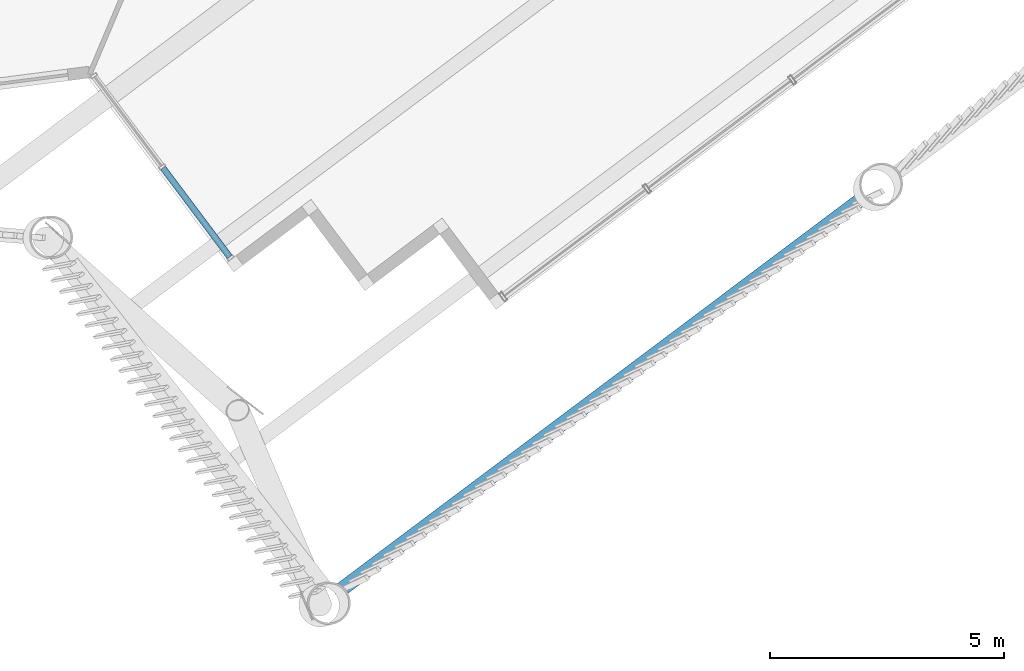
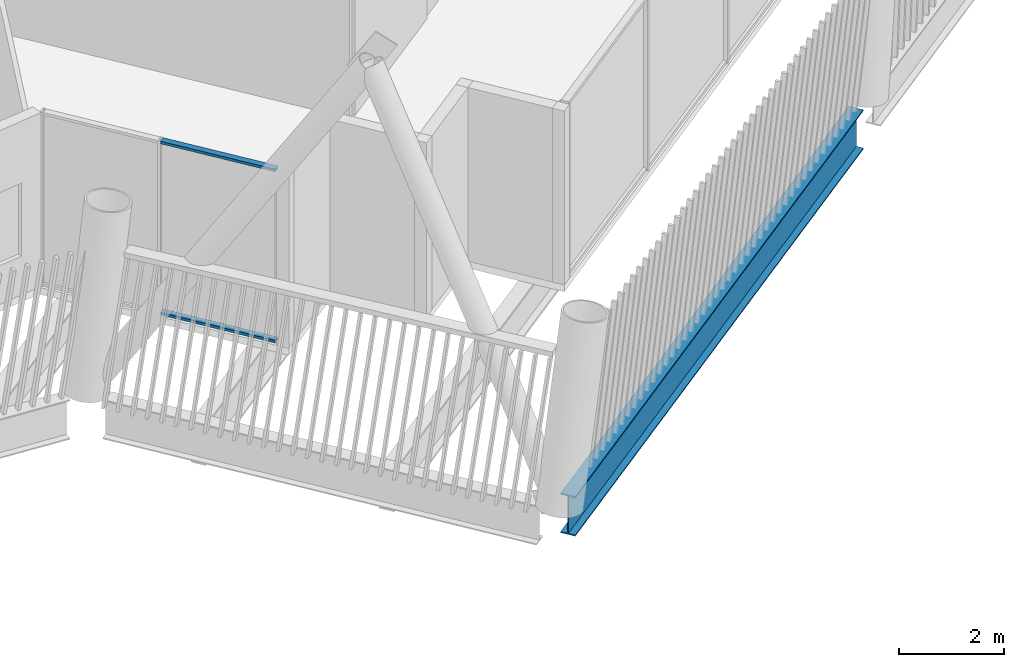
# One storey, part 9 of 35: 2 members, 1 beam, 1 element without a shape of its own.
"""IFC4 building model written with IfcOpenShell, lengths in metres."""

import ifcopenshell
import ifcopenshell.guid

model = None  # the IFC model being written
_history = None  # IfcOwnerHistory: only IFC2X3 demands one
_inside = {}  # id of a spatial element -> (the spatial element, [elements in it])
_under = {}  # id of a project, library or spatial element -> (it, [spatial elements below it])
_declared = {}  # id of a project -> (the project, [libraries it declares])
_typed = {}  # id of a type object -> (the type object, [elements of that type])
_made_of = {}  # id of a material, layer set ... -> (it, [elements and type objects made of it])


def new_model(schema):
    """Start an empty IFC model of exactly this schema.

    Asked for "IFC4X3", IfcOpenShell would pick the latest addendum, in which some entities
    have other attributes; the version numbers below select the first issue.
    IFC2X3 requires an IfcOwnerHistory on every rooted entity: one is made here for all.
    """
    global model, _history
    if schema == "IFC4X3":
        model = ifcopenshell.file(schema_version=(4, 3, 0, 0))
    else:
        model = ifcopenshell.file(schema=schema)
    _inside.clear()
    _under.clear()
    _declared.clear()
    _typed.clear()
    _made_of.clear()
    _history = None
    if model.schema == "IFC2X3":
        org = make("IfcOrganization", Name="unknown")
        user = make(
            "IfcPersonAndOrganization",
            ThePerson=make("IfcPerson", FamilyName="unknown"),
            TheOrganization=org,
        )
        app = make(
            "IfcApplication",
            ApplicationDeveloper=org,
            Version="unknown",
            ApplicationFullName="unknown",
            ApplicationIdentifier="unknown",
        )
        _history = make(
            "IfcOwnerHistory",
            OwningUser=user,
            OwningApplication=app,
            ChangeAction="ADDED",
            CreationDate=0,
        )
    return model


def make(cls, **values):
    """One entity of the class cls with the attributes given. An attribute that is None is left unset."""
    return model.create_entity(
        cls, **{name: value for name, value in values.items() if value is not None}
    )


def rooted(cls, **values):
    """An entity with a GlobalId (a new one), such as an element, a storey or a relation."""
    return make(cls, GlobalId=ifcopenshell.guid.new(), OwnerHistory=_history, **values)


def si_unit(unit_type, name, prefix=None):
    """IfcSIUnit, for example si_unit("LENGTHUNIT", "METRE", prefix="MILLI")."""
    return make("IfcSIUnit", UnitType=unit_type, Prefix=prefix, Name=name)


def assignment(units):
    """IfcUnitAssignment: the units of a project."""
    return None if units is None else make("IfcUnitAssignment", Units=units)


def point(xyz):
    """IfcCartesianPoint."""
    return None if xyz is None else make("IfcCartesianPoint", Coordinates=xyz)


def direction(xyz):
    """IfcDirection."""
    return None if xyz is None else make("IfcDirection", DirectionRatios=xyz)


def frame(location, z_axis=None, x_axis=None):
    """IfcAxis2Placement3D, a coordinate frame: its origin and axes. An axis left out is left unset."""
    return make(
        "IfcAxis2Placement3D",
        Location=point(location),
        Axis=direction(z_axis),
        RefDirection=direction(x_axis),
    )


def frame_2d(location, x_axis=None):
    """IfcAxis2Placement2D, a coordinate frame in the plane: its origin and x axis."""
    return make(
        "IfcAxis2Placement2D", Location=point(location), RefDirection=direction(x_axis)
    )


def origin():
    """The frame at (0, 0, 0) with its axes left unset."""
    return frame((0.0, 0.0, 0.0))


def origin_2d():
    """The frame at (0, 0) in the plane with its x axis left unset."""
    return frame_2d((0.0, 0.0))


def place(relative_to, where):
    """IfcLocalPlacement: puts the frame where relative to a parent placement (None: the world)."""
    return make(
        "IfcLocalPlacement", PlacementRelTo=relative_to, RelativePlacement=where
    )


def context(
    kind, dimensions, precision=None, world=None, true_north=None, identifier=None
):
    """IfcGeometricRepresentationContext, for example the 3D "Model" context."""
    return make(
        "IfcGeometricRepresentationContext",
        ContextIdentifier=identifier,
        ContextType=kind,
        CoordinateSpaceDimension=dimensions,
        Precision=precision,
        WorldCoordinateSystem=world,
        TrueNorth=true_north,
    )


def subcontext(parent, identifier, kind, view, scale=None):
    """IfcGeometricRepresentationSubContext, for example "Body" below "Model"."""
    return make(
        "IfcGeometricRepresentationSubContext",
        ContextIdentifier=identifier,
        ContextType=kind,
        ParentContext=parent,
        TargetScale=scale,
        TargetView=view,
    )


def project(units=None, contexts=None):
    """IfcProject with its units and contexts."""
    return rooted(
        "IfcProject",
        Name="project",
        RepresentationContexts=contexts,
        UnitsInContext=assignment(units),
    )


def spatial(cls, under=None, at=None, **own):
    """A site, building, storey or space (cls), placed at a placement, below another one or the project."""
    s = rooted(cls, ObjectPlacement=at, **own)
    if under is not None:
        _under.setdefault(under.id(), (under, []))[1].append(s)
    return s


def profile(cls, at=None, kind="AREA", **sizes):
    """A parametric profile (cls). Its sizes go by their IFC names, for example OverallWidth=200.0."""
    return make(cls, ProfileType=kind, Position=at, **sizes)


def hollow_rectangle(**sizes):
    """IfcRectangleHollowProfileDef."""
    return profile("IfcRectangleHollowProfileDef", **sizes)


def i_section(**sizes):
    """IfcIShapeProfileDef."""
    return profile("IfcIShapeProfileDef", **sizes)


def extrude(swept, where, along, depth):
    """IfcExtrudedAreaSolid: the profile swept, set in the frame where, extruded along a direction by depth."""
    return make(
        "IfcExtrudedAreaSolid",
        SweptArea=swept,
        Position=where,
        ExtrudedDirection=direction(along),
        Depth=depth,
    )


def shape(context_of_items, identifier, shape_type, items):
    """IfcShapeRepresentation: the items that make up one representation, for example the "Body"."""
    return make(
        "IfcShapeRepresentation",
        ContextOfItems=context_of_items,
        RepresentationIdentifier=identifier,
        RepresentationType=shape_type,
        Items=items,
    )


def material(Name=None, Category=None):
    """IfcMaterial."""
    return make("IfcMaterial", Name=Name, Category=Category)


def layer(
    of_material, thickness, ventilated=None, Name=None, Category=None, Priority=None
):
    """IfcMaterialLayer: one layer of a wall or slab, of a material (None: an air gap)."""
    return make(
        "IfcMaterialLayer",
        Material=of_material,
        LayerThickness=thickness,
        IsVentilated=ventilated,
        Name=Name,
        Category=Category,
        Priority=Priority,
    )


def layer_set(layers, Name=None):
    """IfcMaterialLayerSet."""
    return make("IfcMaterialLayerSet", MaterialLayers=layers, LayerSetName=Name)


def material_profile(
    of_material, cross_section, Name=None, Category=None, Priority=None
):
    """IfcMaterialProfile: a cross section and its material."""
    return make(
        "IfcMaterialProfile",
        Name=Name,
        Material=of_material,
        Profile=cross_section,
        Priority=Priority,
        Category=Category,
    )


def profile_set(profiles, Name=None, composite=None):
    """IfcMaterialProfileSet."""
    return make(
        "IfcMaterialProfileSet",
        Name=Name,
        MaterialProfiles=profiles,
        CompositeProfile=composite,
    )


def made_of(thing, what):
    """Note that an element or type object is made of a material, layer set ...; save() writes the relation."""
    if what is not None:
        _made_of.setdefault(what.id(), (what, []))[1].append(thing)
    return thing


def type_object(cls, material=None, **own):
    """A type object (cls), such as IfcWallType, which elements share."""
    return made_of(rooted(cls, **own), material)


def element(
    cls,
    number,
    at=None,
    inside=None,
    cuts=None,
    type_object=None,
    material=None,
    context=None,
    identifier="Body",
    shape_type=None,
    held_by="IfcProductDefinitionShape",
    body=None,
    shapes=None,
    **own,
):
    """One element of the class cls, such as IfcWall. Its Tag is "e" and its number.

    at: its placement. inside: the storey or other place that contains it. cuts: it is an
    opening in that element (IfcRelVoidsElement). A single representation is given by context,
    identifier, shape_type and body (its items); several are given by shapes. held_by: the class
    of the entity that holds the representations. save() writes the other relations.
    """
    e = rooted(cls, Tag="e%d" % number, ObjectPlacement=at, **own)
    if body is not None:
        shapes = [shape(context, identifier, shape_type, body)]
    if shapes is not None:
        e.Representation = make(held_by, Representations=shapes)
    if inside is not None:
        _inside.setdefault(inside.id(), (inside, []))[1].append(e)
    if cuts is not None:
        rooted(
            "IfcRelVoidsElement", RelatingBuildingElement=cuts, RelatedOpeningElement=e
        )
    if type_object is not None:
        _typed.setdefault(type_object.id(), (type_object, []))[1].append(e)
    return made_of(e, material)


def aggregate(whole, parts):
    """IfcRelAggregates: a whole, such as a stair, and the parts it consists of."""
    return rooted("IfcRelAggregates", RelatingObject=whole, RelatedObjects=parts)


def save(model, path):
    """Write the relations noted so far, then the file.

    IfcRelAggregates (storeys below a building ...), IfcRelContainedInSpatialStructure (elements
    in a storey), IfcRelDefinesByType, IfcRelAssociatesMaterial and IfcRelDeclares: one each for
    every whole, place, type object, material and project.
    """
    for whole, parts in _under.values():
        aggregate(whole, parts)
    for where, things in _inside.values():
        rooted(
            "IfcRelContainedInSpatialStructure",
            RelatedElements=things,
            RelatingStructure=where,
        )
    for kind, things in _typed.values():
        rooted("IfcRelDefinesByType", RelatedObjects=things, RelatingType=kind)
    for what, things in _made_of.values():
        rooted("IfcRelAssociatesMaterial", RelatedObjects=things, RelatingMaterial=what)
    for by, libraries in _declared.values():
        rooted("IfcRelDeclares", RelatingContext=by, RelatedDefinitions=libraries)
    model.write(path)


model = new_model("IFC4")

# Units and contexts
model_context = context("Model", 3, precision=1e-05, world=origin(), true_north=direction((0.0, 1.0)))
body_context = subcontext(model_context, "Body", "Model", "MODEL_VIEW")
ifc_project = project(units=[si_unit("LENGTHUNIT", "METRE"), si_unit("AREAUNIT", "SQUARE_METRE"), si_unit("VOLUMEUNIT", "CUBIC_METRE"), si_unit("PLANEANGLEUNIT", "RADIAN"), si_unit("MASSUNIT", "GRAM", prefix="KILO")], contexts=[model_context])

# Site, building, storey
site_placement = place(None, origin())
site = spatial("IfcSite", under=ifc_project, at=site_placement, CompositionType="ELEMENT")
building_placement = place(site_placement, origin())
building = spatial("IfcBuilding", under=site, at=building_placement, Name="Tarsis Ring Headquarters", CompositionType="ELEMENT")
storey_placement = place(building_placement, frame((0.0, 0.0, 377.60009765625)))
storey = spatial("IfcBuildingStorey", under=building, at=storey_placement, Name="L89", CompositionType="ELEMENT", Elevation=377.60009765625)

# Curtain wall, members
ifc_material_1 = material(Name="Aluminium curtain wall", Category="aluminium")
ifc_layer = layer(ifc_material_1, 0.14990234375)
ifc_layer_set = layer_set([ifc_layer], Name="Curtain wall tower unit")
curtain_wall_type = type_object("IfcCurtainWallType", Name="Curtain wall tower unit", PredefinedType="NOTDEFINED", material=ifc_layer_set)
curtain_wall_placement = place(storey_placement, origin())
curtain_wall = element("IfcCurtainWall", 1, at=curtain_wall_placement, inside=storey, type_object=curtain_wall_type, Name="Curtain wall L89-06", PredefinedType="NOTDEFINED")
ifc_material_2 = material(Name="Aluminium transom", Category="aluminium")
ifc_material_profile_1 = material_profile(ifc_material_2, hollow_rectangle(XDim=0.1298828125, YDim=0.06005859375, WallThickness=0.0048828125, at=origin_2d()), Name="RHS 130x60x5")
ifc_profile_set_1 = profile_set([ifc_material_profile_1], Name="Aluminium transom")
member_type = type_object("IfcMemberType", Name="Curtain wall transom tower unit RHS 130x60x5", PredefinedType="USERDEFINED", material=ifc_profile_set_1)
member_1_placement = place(storey_placement, frame((5.6962890625, -27.379150390625, 0.02978515625), z_axis=(0.600131798428, -0.799901134213, 0.0), x_axis=(0.799901134213, 0.600131798428, 0.0)))
member_1 = element("IfcMember", 2, at=member_1_placement, type_object=member_type, Name="CW-T transom 2.1", ObjectType="TRANSOM", PredefinedType="USERDEFINED", context=body_context, shape_type="SweptSolid", body=[
    extrude(hollow_rectangle(XDim=0.1298828125, YDim=0.06005859375, WallThickness=0.0048828125, at=origin_2d()), origin(), (0.0, 0.0, 1.0), 2.370849609375),
])
member_2_placement = place(storey_placement, frame((5.6962890625, -27.379150390625, 4.010009765625), z_axis=(0.600131798428, -0.799901134213, 0.0), x_axis=(0.799901134213, 0.600131798428, 0.0)))
member_2 = element("IfcMember", 3, at=member_2_placement, type_object=member_type, Name="CW-T transom 2.2", ObjectType="TRANSOM", PredefinedType="USERDEFINED", context=body_context, shape_type="SweptSolid", body=[
    extrude(hollow_rectangle(XDim=0.1298828125, YDim=0.06005859375, WallThickness=0.0048828125, at=origin_2d()), origin(), (0.0, 0.0, 1.0), 2.370849609375),
])
aggregate(curtain_wall, [member_1, member_2])

# Beam
ifc_material_3 = material(Name="Structural steel S355", Category="steel")
ifc_material_profile_2 = material_profile(ifc_material_3, i_section(OverallWidth=0.3046875, OverallDepth=0.91943359375, WebThickness=0.017333984375, FlangeThickness=0.02783203125, at=origin_2d()), Name="W36x170")
ifc_profile_set_2 = profile_set([ifc_material_profile_2], Name="Structural steel S355")
beam_type = type_object("IfcBeamType", Name="XG Ring girder W36x170", PredefinedType="BEAM", material=ifc_profile_set_2)
beam_placement = place(storey_placement, frame((9.375732421875, -36.471435546875, -0.4599609375), z_axis=(0.799888893033, 0.600148114053, 0.0), x_axis=(-0.600148114053, 0.799888893033, 0.0)))
element("IfcBeam", 4, at=beam_placement, inside=storey, type_object=beam_type, Name="Ring girder XG4", PredefinedType="BEAM", context=body_context, shape_type="SweptSolid", body=[
    extrude(i_section(OverallWidth=0.3046875, OverallDepth=0.91943359375, WebThickness=0.017333984375, FlangeThickness=0.02783203125, at=origin_2d()), origin(), (0.0, 0.0, 1.0), 13.976806640625),
])

save(model, "model.ifc")
